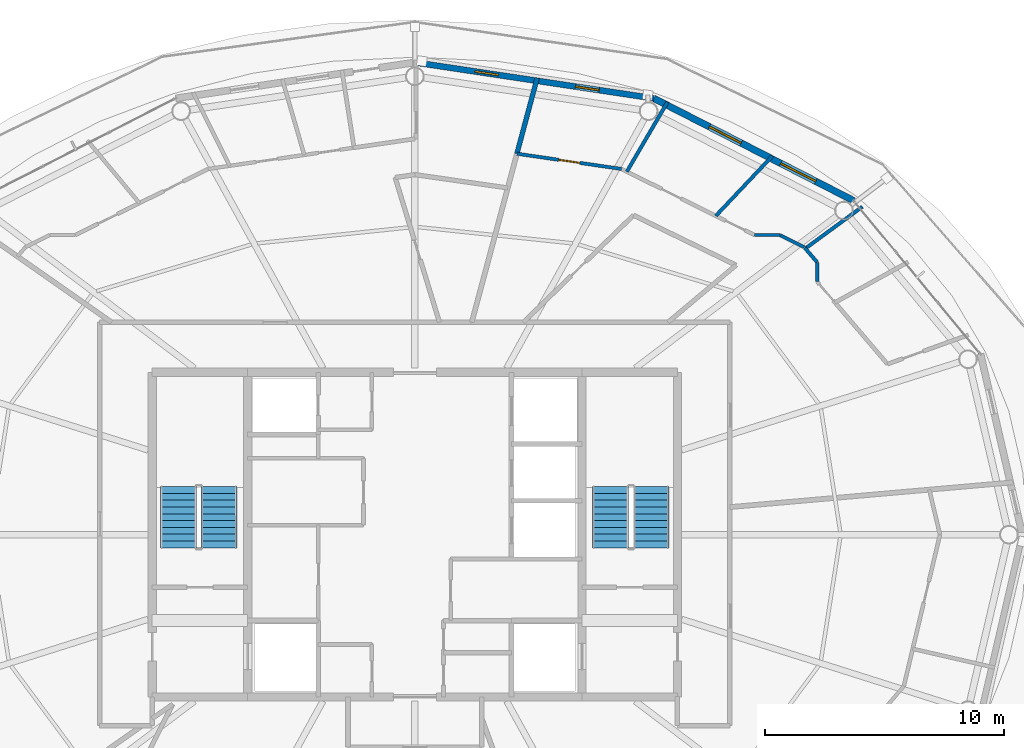
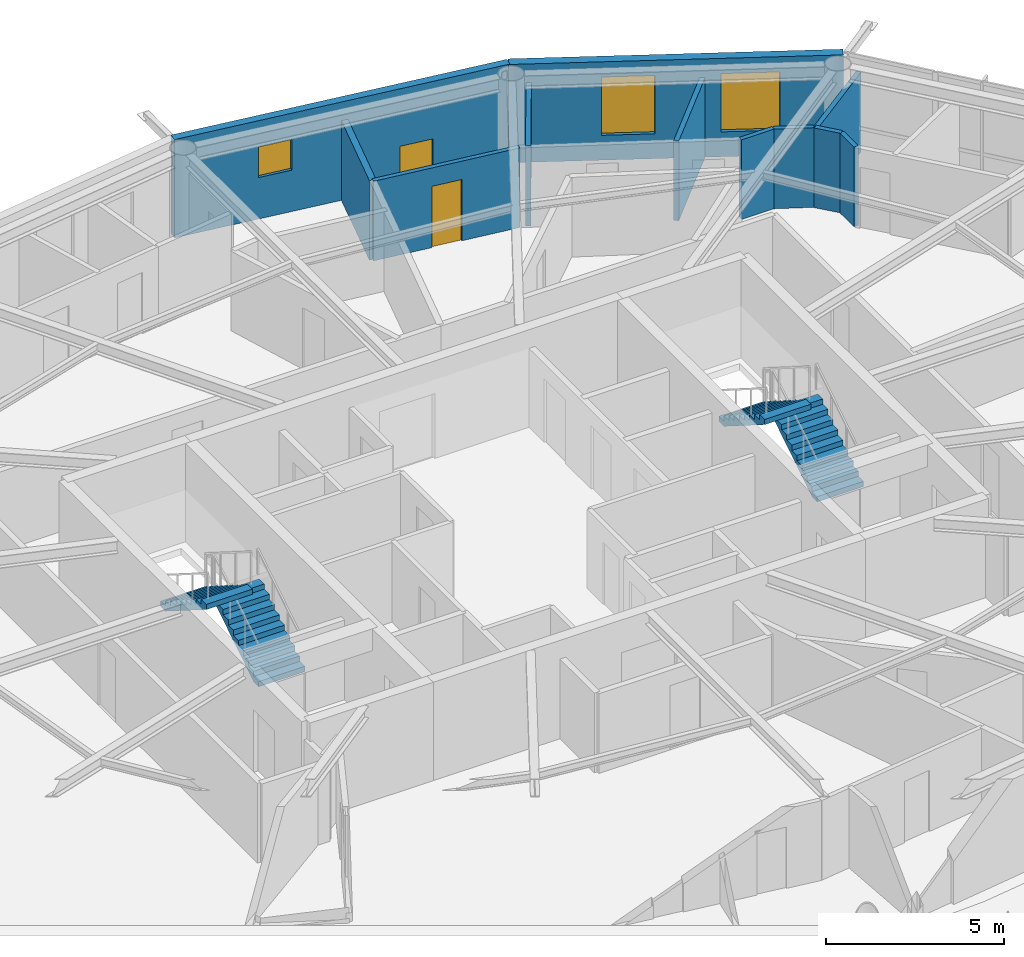
# One storey, part 20 of 23: 11 walls, 4 stair flights, 4 windows, 1 door, 5 openings, 2 elements without a shape of their own.
"""IFC4 building model written with IfcOpenShell, lengths in metres."""

from ifc_helpers import new_model, si_unit, direction, frame, frame_2d, origin, place, context, subcontext, project, spatial, polyline, rectangle, outline, extrude, material, layer, layer_set, type_object, element, fill, aggregate, save


model = new_model("IFC4")

# Units and contexts
model_context = context("Model", 3, precision=1e-05, world=origin(), true_north=direction((0.0, 1.0)))
body_context = subcontext(model_context, "Body", "Model", "MODEL_VIEW")
ifc_project = project(units=[si_unit("LENGTHUNIT", "METRE"), si_unit("AREAUNIT", "SQUARE_METRE"), si_unit("VOLUMEUNIT", "CUBIC_METRE"), si_unit("PLANEANGLEUNIT", "RADIAN"), si_unit("MASSUNIT", "GRAM", prefix="KILO")], contexts=[model_context])

# Site, building, storey
site_placement = place(None, origin())
site = spatial("IfcSite", under=ifc_project, at=site_placement, CompositionType="ELEMENT")
building_placement = place(site_placement, origin())
building = spatial("IfcBuilding", under=site, at=building_placement, Name="Sarneth Arch Tower", CompositionType="ELEMENT")
storey_placement = place(building_placement, frame((0.0, 0.0, 276.60009765625)))
storey = spatial("IfcBuildingStorey", under=building, at=storey_placement, Name="L71", CompositionType="ELEMENT", Elevation=276.60009765625)

# Wall, openings, windows
ifc_material_1 = material(Name="Extruded terracotta rainscreen on Concrete C40/50 backing", Category="masonry")
ifc_layer_1 = layer(ifc_material_1, 0.25)
ifc_layer_set_1 = layer_set([ifc_layer_1], Name="Extruded terracotta rainscreen on Concrete C40/50 backing")
wall_type_1 = type_object("IfcWallType", Name="WALL-EXT-SPAND-250", PredefinedType="SOLIDWALL", material=ifc_layer_set_1)
wall_1_placement = place(storey_placement, frame((58.0126953125, 60.2744140625, 0.0), z_axis=(0.0, 0.0, 1.0), x_axis=(-0.988882522213, 0.148698881169, 0.0)))
wall_1 = element("IfcWall", 1, at=wall_1_placement, inside=storey, type_object=wall_type_1, Name="L71 Terracotta perimeter wall 04", PredefinedType="SOLIDWALL", context=body_context, shape_type="SweptSolid", body=[
    extrude(rectangle(XDim=10.125244140625, YDim=0.25, at=frame_2d((5.0625, 0.0))), origin(), (0.0, 0.0, 1.0), 3.369873046875),
])
opening_1_placement = place(wall_1_placement, frame((2.319580078125, 0.0, 0.35009765625)))
opening_1 = element("IfcOpeningElement", 2, at=opening_1_placement, cuts=wall_1, Name="Opening W-14", PredefinedType="OPENING", context=body_context, shape_type="SweptSolid", body=[
    extrude(rectangle(XDim=1.0, YDim=1.050048828125, at=frame_2d((0.5, 0.52490234375))), frame((0.0, 0.135009765625, 0.0), z_axis=(0.0, -1.0, 0.0), x_axis=(1.0, 0.0, 0.0)), (0.0, 0.0, 1.0), 0.27001953125),
])
opening_2_placement = place(wall_1_placement, frame((6.58056640625, 0.0, 1.419921875)))
opening_2 = element("IfcOpeningElement", 3, at=opening_2_placement, cuts=wall_1, Name="Opening W-14", PredefinedType="OPENING", context=body_context, shape_type="SweptSolid", body=[
    extrude(rectangle(XDim=1.0, YDim=1.050048828125, at=frame_2d((0.5, 0.52490234375))), frame((0.0, 0.135009765625, 0.0), z_axis=(0.0, -1.0, 0.0), x_axis=(1.0, 0.0, 0.0)), (0.0, 0.0, 1.0), 0.27001953125),
])
ifc_material_2 = material(Name="Thermally broken Aluminium 6063-T6 and low-e laminated IGU", Category="aluminium")
window_type_1 = type_object("IfcWindowType", Name="WIN-TWR-1000x1050", PartitioningType="SINGLE_PANEL", PredefinedType="WINDOW", material=ifc_material_2)
window_1_placement = place(opening_1_placement, origin())
window_1 = element("IfcWindow", 4, at=window_1_placement, inside=storey, type_object=window_type_1, Name="L71 Dwelling bedroom window 01", OverallHeight=1.050048828125, OverallWidth=1.0, PartitioningType="SINGLE_PANEL", PredefinedType="WINDOW", context=body_context, shape_type="SweptSolid", body=[
    extrude(rectangle(XDim=1.0, YDim=1.050048828125, at=frame_2d((0.5, 0.52490234375))), frame((0.0, 0.030029296875, 0.0), z_axis=(0.0, -1.0, 0.0), x_axis=(1.0, 0.0, 0.0)), (0.0, 0.0, 1.0), 0.06005859375),
])
fill(opening_1, window_1)
window_2_placement = place(opening_2_placement, origin())
window_2 = element("IfcWindow", 5, at=window_2_placement, inside=storey, type_object=window_type_1, Name="L71 Dwelling bedroom window 02", OverallHeight=1.050048828125, OverallWidth=1.0, PartitioningType="SINGLE_PANEL", PredefinedType="WINDOW", context=body_context, shape_type="SweptSolid", body=[
    extrude(rectangle(XDim=1.0, YDim=1.050048828125, at=frame_2d((0.5, 0.52490234375))), frame((0.0, 0.030029296875, 0.0), z_axis=(0.0, -1.0, 0.0), x_axis=(1.0, 0.0, 0.0)), (0.0, 0.0, 1.0), 0.06005859375),
])
fill(opening_2, window_2)

ifc_material_3 = material(Name="Extruded terracotta rainscreen on Concrete C40/50 backing", Category="masonry")
ifc_layer_2 = layer(ifc_material_3, 0.280029296875)
ifc_layer_set_2 = layer_set([ifc_layer_2], Name="Extruded terracotta rainscreen on Concrete C40/50 backing")
wall_type_2 = type_object("IfcWallType", Name="WALL-EXT-TERRA-280", PredefinedType="SOLIDWALL", material=ifc_layer_set_2)
wall_2_placement = place(storey_placement, frame((66.382568359375, 55.986572265625, 0.0), z_axis=(0.0, 0.0, 1.0), x_axis=(-0.890007394051, 0.455946091699, 0.0)))
wall_2 = element("IfcWall", 6, at=wall_2_placement, inside=storey, type_object=wall_type_2, Name="L71 Terracotta perimeter wall 03", PredefinedType="SOLIDWALL", context=body_context, shape_type="SweptSolid", body=[
    extrude(rectangle(XDim=9.404296875, YDim=0.280029296875, at=frame_2d((4.7021484375, 0.0))), origin(), (0.0, 0.0, 1.0), 3.369873046875),
])
opening_3_placement = place(wall_2_placement, frame((1.78125, 0.0, 0.85009765625)))
opening_3 = element("IfcOpeningElement", 7, at=opening_3_placement, cuts=wall_2, Name="Opening W-05", PredefinedType="OPENING", context=body_context, shape_type="SweptSolid", body=[
    extrude(rectangle(XDim=1.64990234375, YDim=2.0, at=frame_2d((0.824951171875, 1.0))), frame((0.0, 0.14990234375, 0.0), z_axis=(0.0, -1.0, 0.0), x_axis=(1.0, 0.0, 0.0)), (0.0, 0.0, 1.0), 0.300048828125),
])
opening_4_placement = place(wall_2_placement, frame((5.297119140625, 0.0, 0.85009765625)))
opening_4 = element("IfcOpeningElement", 8, at=opening_4_placement, cuts=wall_2, Name="Opening W-06", PredefinedType="OPENING", context=body_context, shape_type="SweptSolid", body=[
    extrude(rectangle(XDim=1.5, YDim=2.0, at=frame_2d((0.75, 1.0))), frame((0.0, 0.14990234375, 0.0), z_axis=(0.0, -1.0, 0.0), x_axis=(1.0, 0.0, 0.0)), (0.0, 0.0, 1.0), 0.300048828125),
])
ifc_material_4 = material(Name="Thermally broken Aluminium 6063-T6 and low-e laminated IGU", Category="aluminium")
window_type_2 = type_object("IfcWindowType", Name="WIN-TWR-1500x2000", PartitioningType="SINGLE_PANEL", PredefinedType="WINDOW", material=ifc_material_4)
window_3_placement = place(opening_4_placement, origin())
window_3 = element("IfcWindow", 9, at=window_3_placement, inside=storey, type_object=window_type_2, Name="L71 Exterior window 03B", OverallHeight=2.0, OverallWidth=1.5, PartitioningType="SINGLE_PANEL", PredefinedType="WINDOW", context=body_context, shape_type="SweptSolid", body=[
    extrude(rectangle(XDim=1.5, YDim=2.0, at=frame_2d((0.75, 1.0))), frame((0.0, 0.030029296875, 0.0), z_axis=(0.0, -1.0, 0.0), x_axis=(1.0, 0.0, 0.0)), (0.0, 0.0, 1.0), 0.06005859375),
])
fill(opening_4, window_3)
ifc_material_5 = material(Name="Thermally broken Aluminium 6063-T6 and low-e laminated IGU", Category="aluminium")
window_type_3 = type_object("IfcWindowType", Name="WIN-TWR-1650x2000", PartitioningType="DOUBLE_PANEL_VERTICAL", PredefinedType="WINDOW", material=ifc_material_5)
window_4_placement = place(opening_3_placement, origin())
window_4 = element("IfcWindow", 10, at=window_4_placement, inside=storey, type_object=window_type_3, Name="L71 Exterior window 03A", OverallHeight=2.0, OverallWidth=1.64990234375, PartitioningType="SINGLE_PANEL", PredefinedType="WINDOW", context=body_context, shape_type="SweptSolid", body=[
    extrude(rectangle(XDim=1.64990234375, YDim=2.0, at=frame_2d((0.824951171875, 1.0))), frame((0.0, 0.030029296875, 0.0), z_axis=(0.0, -1.0, 0.0), x_axis=(1.0, 0.0, 0.0)), (0.0, 0.0, 1.0), 0.06005859375),
])
fill(opening_3, window_4)

# Wall, opening, door
ifc_material_6 = material(Name="Apartment internal stud partition", Category="gypsum")
ifc_layer_3 = layer(ifc_material_6, 0.139892578125)
ifc_layer_set_3 = layer_set([ifc_layer_3], Name="Apartment internal stud partition")
wall_type_3 = type_object("IfcWallType", Name="WALL-PART-140", PredefinedType="PARTITIONING", material=ifc_layer_set_3)
wall_3_placement = place(storey_placement, frame((56.65478515625, 57.31787109375, 0.0), z_axis=(0.0, 0.0, 1.0), x_axis=(-0.989532652843, 0.144309143708, 0.0)))
wall_3 = element("IfcWall", 11, at=wall_3_placement, inside=storey, type_object=wall_type_3, Name="L71 Interior partition W-L71-TP-032", PredefinedType="PARTITIONING", context=body_context, shape_type="SweptSolid", body=[
    extrude(rectangle(XDim=4.42578125, YDim=0.139892578125, at=frame_2d((2.212890625, 0.0))), origin(), (0.0, 0.0, 1.0), 2.72998046875),
])
opening_5_placement = place(wall_3_placement, frame((1.762939453125, 0.0, 0.0)))
opening_5 = element("IfcOpeningElement", 12, at=opening_5_placement, cuts=wall_3, Name="Opening ID-01", PredefinedType="OPENING", context=body_context, shape_type="SweptSolid", body=[
    extrude(rectangle(XDim=0.89990234375, YDim=2.10009765625, at=frame_2d((0.449951171875, 1.050048828125))), frame((0.0, 0.079833984375, 0.0), z_axis=(0.0, -1.0, 0.0), x_axis=(1.0, 0.0, 0.0)), (0.0, 0.0, 1.0), 0.159912109375),
])
ifc_material_7 = material(Name="Engineered hardwood flush door", Category="wood")
door_type = type_object("IfcDoorType", Name="DR-INT-900", OperationType="SINGLE_SWING_LEFT", PredefinedType="DOOR", material=ifc_material_7)
door_placement = place(opening_5_placement, origin())
door = element("IfcDoor", 13, at=door_placement, inside=storey, type_object=door_type, Name="L71 Interior door DR-L71-U1-BED3", OperationType="SINGLE_SWING_LEFT", OverallHeight=2.10009765625, OverallWidth=0.89990234375, PredefinedType="DOOR", context=body_context, shape_type="SweptSolid", body=[
    extrude(rectangle(XDim=0.89990234375, YDim=2.10009765625, at=frame_2d((0.449951171875, 1.050048828125))), frame((0.0, 0.02490234375, 0.0), z_axis=(0.0, -1.0, 0.0), x_axis=(1.0, 0.0, 0.0)), (0.0, 0.0, 1.0), 0.050048828125),
])
fill(opening_5, door)

# Walls
wall_4_placement = place(storey_placement, frame((64.31103515625, 54.0419921875, 0.0), z_axis=(0.0, 0.0, 1.0), x_axis=(-0.895409226325, 0.445244109912, 0.0)))
element("IfcWall", 14, at=wall_4_placement, inside=storey, type_object=wall_type_3, Name="L71 Interior partition W-L71-TP-027", PredefinedType="PARTITIONING", context=body_context, shape_type="SweptSolid", body=[
    extrude(rectangle(XDim=1.14111328125, YDim=0.139892578125, at=frame_2d((0.570556640625, 0.0))), origin(), (0.0, 0.0, 1.0), 2.72998046875),
])
wall_5_placement = place(storey_placement, frame((63.289306640625, 54.550048828125, 0.0), z_axis=(0.0, 0.0, 1.0), x_axis=(-1.0, 0.0, 0.0)))
element("IfcWall", 15, at=wall_5_placement, inside=storey, type_object=wall_type_3, Name="L71 Interior partition W-L71-TP-028", PredefinedType="PARTITIONING", context=body_context, shape_type="SweptSolid", body=[
    extrude(rectangle(XDim=1.0625, YDim=0.139892578125, at=frame_2d((0.53125, 0.0))), origin(), (0.0, 0.0, 1.0), 2.72998046875),
])
ifc_material_8 = material(Name="Acoustic gypsum stud partition", Category="gypsum")
ifc_layer_4 = layer(ifc_material_8, 0.14990234375)
ifc_layer_set_4 = layer_set([ifc_layer_4], Name="Acoustic gypsum stud partition")
wall_type_4 = type_object("IfcWallType", Name="WALL-PART-150", PredefinedType="PARTITIONING", material=ifc_layer_set_4)
wall_6_placement = place(storey_placement, frame((60.608154296875, 55.35400390625, 0.0), z_axis=(0.0, 0.0, 1.0), x_axis=(0.686532055538, 0.727099537009, 0.0)))
element("IfcWall", 16, at=wall_6_placement, inside=storey, type_object=wall_type_4, Name="L71 Interior partition W-L71-TP-039", PredefinedType="PARTITIONING", context=body_context, shape_type="SweptSolid", body=[
    extrude(rectangle(XDim=3.448486328125, YDim=0.14990234375, at=frame_2d((1.72412109375, 0.0))), origin(), (0.0, 0.0, 1.0), 2.72998046875),
])
wall_7_placement = place(storey_placement, frame((58.580810546875, 60.117919921875, 0.0), z_axis=(0.0, 0.0, 1.0), x_axis=(-0.504280622188, -0.863539839316, 0.0)))
element("IfcWall", 17, at=wall_7_placement, inside=storey, type_object=wall_type_4, Name="L71 Interior partition W-L71-TP-040", PredefinedType="PARTITIONING", context=body_context, shape_type="SweptSolid", body=[
    extrude(rectangle(XDim=3.3720703125, YDim=0.14990234375, at=frame_2d((1.68603515625, 0.0))), origin(), (0.0, 0.0, 1.0), 2.72998046875),
])
wall_8_placement = place(storey_placement, frame((66.7451171875, 55.736328125, 0.0), z_axis=(0.0, 0.0, 1.0), x_axis=(-0.806661949914, -0.591013112005, 0.0)))
element("IfcWall", 18, at=wall_8_placement, inside=storey, type_object=wall_type_4, Name="L71 Interior partition W-L71-TP-038", PredefinedType="PARTITIONING", context=body_context, shape_type="SweptSolid", body=[
    extrude(rectangle(XDim=2.95947265625, YDim=0.14990234375, at=frame_2d((1.479736328125, 0.0))), origin(), (0.0, 0.0, 1.0), 2.72998046875),
])
wall_9_placement = place(storey_placement, frame((64.85009765625, 53.410400390625, 0.0), z_axis=(0.0, 0.0, 1.0), x_axis=(0.0, -1.0, 0.0)))
element("IfcWall", 19, at=wall_9_placement, inside=storey, type_object=wall_type_4, Name="L71 Interior partition W-L71-TP-020", PredefinedType="PARTITIONING", context=body_context, shape_type="SweptSolid", body=[
    extrude(rectangle(XDim=0.8115234375, YDim=0.14990234375, at=frame_2d((0.40576171875, 0.0))), origin(), (0.0, 0.0, 1.0), 2.72998046875),
])
wall_10_placement = place(storey_placement, frame((64.337158203125, 54.01171875, 0.0), z_axis=(0.0, 0.0, 1.0), x_axis=(0.648983418766, -0.760802551367, 0.0)))
element("IfcWall", 20, at=wall_10_placement, inside=storey, type_object=wall_type_4, Name="L71 Interior partition W-L71-TP-019", PredefinedType="PARTITIONING", context=body_context, shape_type="SweptSolid", body=[
    extrude(rectangle(XDim=0.790283203125, YDim=0.14990234375, at=frame_2d((0.39501953125, 0.0))), origin(), (0.0, 0.0, 1.0), 2.72998046875),
])
ifc_material_9 = material(Name="Double steel-stud acoustic drywall", Category="steel")
ifc_layer_5 = layer(ifc_material_9, 0.199951171875)
ifc_layer_set_5 = layer_set([ifc_layer_5], Name="Double steel-stud acoustic drywall")
wall_type_5 = type_object("IfcWallType", Name="WALL-UNIT-200", PredefinedType="PARTITIONING", material=ifc_layer_set_5)
wall_11_placement = place(storey_placement, frame((52.275390625, 57.95654296875, 0.0), z_axis=(0.0, 0.0, 1.0), x_axis=(0.258901994846, 0.965903596155, 0.0)))
element("IfcWall", 21, at=wall_11_placement, inside=storey, type_object=wall_type_5, Name="L71 Interior partition W-L71-TP-041", PredefinedType="PARTITIONING", context=body_context, shape_type="SweptSolid", body=[
    extrude(rectangle(XDim=3.285400390625, YDim=0.199951171875, at=frame_2d((1.642578125, 0.0))), origin(), (0.0, 0.0, 1.0), 2.72998046875),
])

# Stair, stair flights
ifc_material_10 = material(Name="Concrete C50/60", Category="concrete")
stair_type = type_object("IfcStairType", Name="STAIR-CORE-RC", PredefinedType="HALF_TURN_STAIR", material=ifc_material_10)
stair_1_placement = place(storey_placement, origin())
stair_1 = element("IfcStair", 22, at=stair_1_placement, inside=storey, type_object=stair_type, Name="L71 Core Exit Stair 1", PredefinedType="HALF_TURN_STAIR")
ifc_material_11 = material(Name="Concrete C50/60", Category="concrete")
stair_flight_type = type_object("IfcStairFlightType", Name="FLIGHT-RC-1500", PredefinedType="STRAIGHT", material=ifc_material_11)
stair_flight_1_placement = place(storey_placement, frame((39.800048828125, 41.449951171875, 0.0), z_axis=(0.0, 0.0, 1.0), x_axis=(0.0, 1.0, 0.0)))
stair_flight_1 = element("IfcStairFlight", 23, at=stair_flight_1_placement, type_object=stair_flight_type, Name="ST-1 flight 1", NumberOfRisers=10, NumberOfTreads=9, PredefinedType="STRAIGHT", RiserHeight=0.18, TreadLength=0.285, context=body_context, shape_type="SweptSolid", body=[
    extrude(outline(polyline([(0.0, 0.0), (0.0, 0.179931640625), (0.284912109375, 0.179931640625), (0.284912109375, 0.360107421875), (0.570068359375, 0.360107421875), (0.570068359375, 0.5400390625), (0.85498046875, 0.5400390625), (0.85498046875, 0.719970703125), (1.139892578125, 0.719970703125), (1.139892578125, 0.89990234375), (1.425048828125, 0.89990234375), (1.425048828125, 1.080078125), (1.7099609375, 1.080078125), (1.7099609375, 1.260009765625), (1.9951171875, 1.260009765625), (1.9951171875, 1.43994140625), (2.280029296875, 1.43994140625), (2.280029296875, 1.6201171875), (2.56494140625, 1.6201171875), (2.56494140625, 1.800048828125), (2.56494140625, 1.442626953125), (0.28076171875, 0.0), (0.0, 0.0)])), frame((0.0, 0.75, 0.0), z_axis=(0.0, -1.0, 0.0), x_axis=(1.0, 0.0, 0.0)), (0.0, 0.0, 1.0), 1.5),
])
stair_flight_2_placement = place(storey_placement, frame((38.10009765625, 44.014892578125, 1.7998046875), z_axis=(0.0, 0.0, 1.0), x_axis=(0.0, -1.0, 0.0)))
stair_flight_2 = element("IfcStairFlight", 24, at=stair_flight_2_placement, type_object=stair_flight_type, Name="ST-1 flight 2", NumberOfRisers=10, NumberOfTreads=9, PredefinedType="STRAIGHT", RiserHeight=0.18, TreadLength=0.285, context=body_context, shape_type="SweptSolid", body=[
    extrude(outline(polyline([(0.0, 0.0), (0.0, 0.179931640625), (0.284912109375, 0.179931640625), (0.284912109375, 0.360107421875), (0.570068359375, 0.360107421875), (0.570068359375, 0.5400390625), (0.85498046875, 0.5400390625), (0.85498046875, 0.719970703125), (1.139892578125, 0.719970703125), (1.139892578125, 0.89990234375), (1.425048828125, 0.89990234375), (1.425048828125, 1.080078125), (1.7099609375, 1.080078125), (1.7099609375, 1.260009765625), (1.9951171875, 1.260009765625), (1.9951171875, 1.43994140625), (2.280029296875, 1.43994140625), (2.280029296875, 1.6201171875), (2.56494140625, 1.6201171875), (2.56494140625, 1.800048828125), (2.56494140625, 1.442626953125), (0.28076171875, 0.0), (0.0, 0.0)])), frame((0.0, 0.75, 0.0), z_axis=(0.0, -1.0, 0.0), x_axis=(1.0, 0.0, 0.0)), (0.0, 0.0, 1.0), 1.5),
])
aggregate(stair_1, [stair_flight_1, stair_flight_2])

stair_2_placement = place(storey_placement, origin())
stair_2 = element("IfcStair", 25, at=stair_2_placement, inside=storey, type_object=stair_type, Name="L71 Core Exit Stair 2", PredefinedType="HALF_TURN_STAIR")
stair_flight_3_placement = place(storey_placement, frame((57.89990234375, 41.449951171875, 0.0), z_axis=(0.0, 0.0, 1.0), x_axis=(0.0, 1.0, 0.0)))
stair_flight_3 = element("IfcStairFlight", 26, at=stair_flight_3_placement, type_object=stair_flight_type, Name="ST-2 flight 1", NumberOfRisers=10, NumberOfTreads=9, PredefinedType="STRAIGHT", RiserHeight=0.18, TreadLength=0.285, context=body_context, shape_type="SweptSolid", body=[
    extrude(outline(polyline([(0.0, 0.0), (0.0, 0.179931640625), (0.284912109375, 0.179931640625), (0.284912109375, 0.360107421875), (0.570068359375, 0.360107421875), (0.570068359375, 0.5400390625), (0.85498046875, 0.5400390625), (0.85498046875, 0.719970703125), (1.139892578125, 0.719970703125), (1.139892578125, 0.89990234375), (1.425048828125, 0.89990234375), (1.425048828125, 1.080078125), (1.7099609375, 1.080078125), (1.7099609375, 1.260009765625), (1.9951171875, 1.260009765625), (1.9951171875, 1.43994140625), (2.280029296875, 1.43994140625), (2.280029296875, 1.6201171875), (2.56494140625, 1.6201171875), (2.56494140625, 1.800048828125), (2.56494140625, 1.442626953125), (0.28076171875, 0.0), (0.0, 0.0)])), frame((0.0, 0.75, 0.0), z_axis=(0.0, -1.0, 0.0), x_axis=(1.0, 0.0, 0.0)), (0.0, 0.0, 1.0), 1.5),
])
stair_flight_4_placement = place(storey_placement, frame((56.199951171875, 44.014892578125, 1.7998046875), z_axis=(0.0, 0.0, 1.0), x_axis=(0.0, -1.0, 0.0)))
stair_flight_4 = element("IfcStairFlight", 27, at=stair_flight_4_placement, type_object=stair_flight_type, Name="ST-2 flight 2", NumberOfRisers=10, NumberOfTreads=9, PredefinedType="STRAIGHT", RiserHeight=0.18, TreadLength=0.285, context=body_context, shape_type="SweptSolid", body=[
    extrude(outline(polyline([(0.0, 0.0), (0.0, 0.179931640625), (0.284912109375, 0.179931640625), (0.284912109375, 0.360107421875), (0.570068359375, 0.360107421875), (0.570068359375, 0.5400390625), (0.85498046875, 0.5400390625), (0.85498046875, 0.719970703125), (1.139892578125, 0.719970703125), (1.139892578125, 0.89990234375), (1.425048828125, 0.89990234375), (1.425048828125, 1.080078125), (1.7099609375, 1.080078125), (1.7099609375, 1.260009765625), (1.9951171875, 1.260009765625), (1.9951171875, 1.43994140625), (2.280029296875, 1.43994140625), (2.280029296875, 1.6201171875), (2.56494140625, 1.6201171875), (2.56494140625, 1.800048828125), (2.56494140625, 1.442626953125), (0.28076171875, 0.0), (0.0, 0.0)])), frame((0.0, 0.75, 0.0), z_axis=(0.0, -1.0, 0.0), x_axis=(1.0, 0.0, 0.0)), (0.0, 0.0, 1.0), 1.5),
])
aggregate(stair_2, [stair_flight_3, stair_flight_4])

save(model, "model.ifc")
